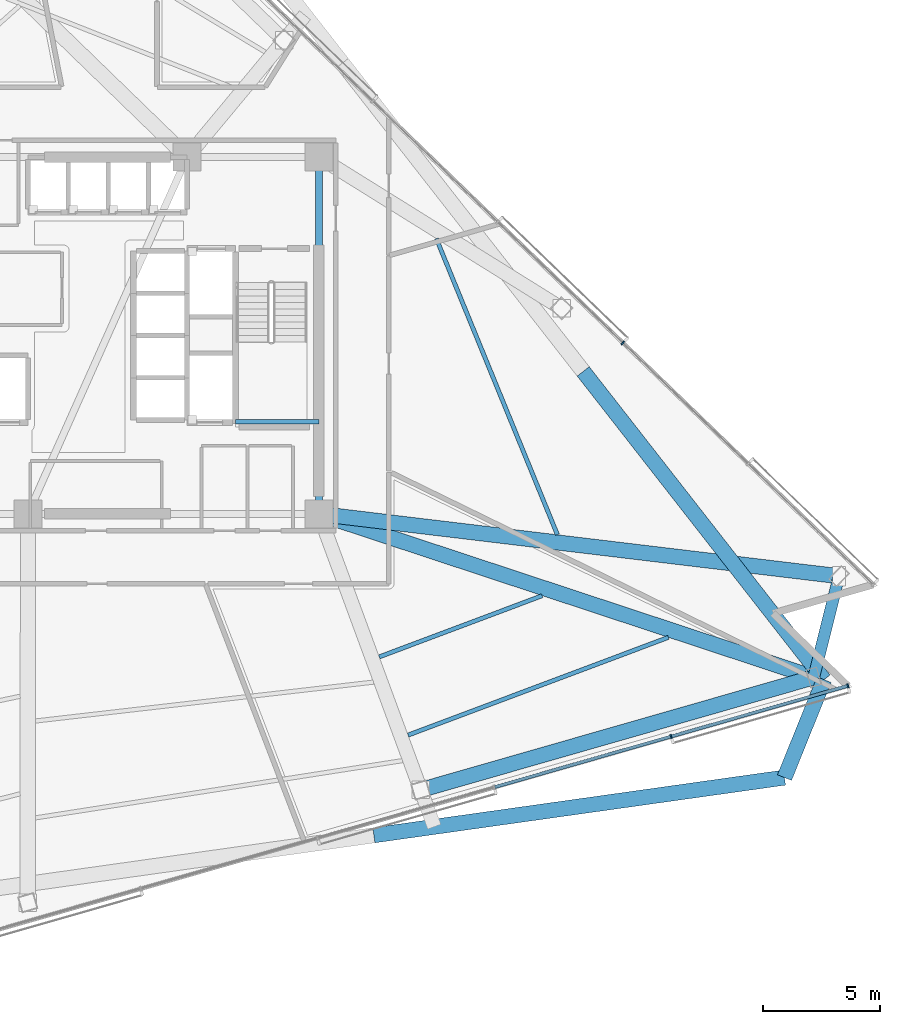
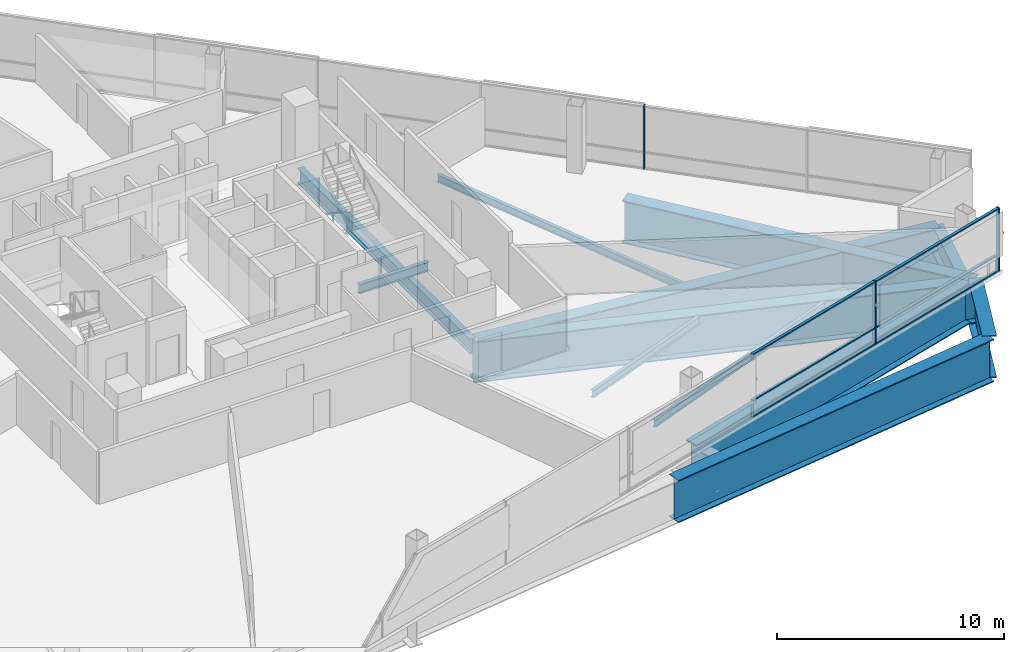
# One storey, part 6 of 21: 12 beams, 9 members, 2 elements without a shape of their own.
"""IFC4 building model written with IfcOpenShell, lengths in metres."""

from ifc_helpers import new_model, si_unit, direction, frame, origin, origin_2d, place, context, subcontext, project, spatial, rectangle, i_section, extrude, material, layer, layer_set, material_profile, profile_set, type_object, element, aggregate, save


model = new_model("IFC4")

# Units and contexts
model_context = context("Model", 3, precision=1e-05, world=origin(), true_north=direction((0.0, 1.0)))
body_context = subcontext(model_context, "Body", "Model", "MODEL_VIEW")
ifc_project = project(units=[si_unit("LENGTHUNIT", "METRE"), si_unit("AREAUNIT", "SQUARE_METRE"), si_unit("VOLUMEUNIT", "CUBIC_METRE"), si_unit("PLANEANGLEUNIT", "RADIAN"), si_unit("MASSUNIT", "GRAM", prefix="KILO")], contexts=[model_context])

# Site, building, storey
site_placement = place(None, origin())
site = spatial("IfcSite", under=ifc_project, at=site_placement, CompositionType="ELEMENT")
building_placement = place(site_placement, origin())
building = spatial("IfcBuilding", under=site, at=building_placement, Name="Tharavind Bronze Gate", CompositionType="ELEMENT")
storey_placement = place(building_placement, frame((0.0, 0.0, 86.10009765625)))
storey = spatial("IfcBuildingStorey", under=building, at=storey_placement, Name="L21", CompositionType="ELEMENT", Elevation=86.10009765625)

# Curtain wall, members
ifc_material_1 = material(Name="Anodised Bronze Aluminium", Category="aluminium")
ifc_layer = layer(ifc_material_1, 0.219970703125)
ifc_layer_set = layer_set([ifc_layer], Name="Anodised Bronze Aluminium")
curtain_wall_type = type_object("IfcCurtainWallType", Name="UNITISED CURTAIN WALL LOWER OFFICE", PredefinedType="USERDEFINED", material=ifc_layer_set)
curtain_wall_1_placement = place(storey_placement, origin())
curtain_wall_1 = element("IfcCurtainWall", 1, at=curtain_wall_1_placement, inside=storey, type_object=curtain_wall_type, Name="L21 unitised curtain wall lower office CW-L21-S2", ObjectType="UNITISED CURTAIN WALL", PredefinedType="USERDEFINED")
member_type_1 = type_object("IfcMemberType", Name="CURTAIN WALL BRONZE MULLION 65X180", PredefinedType="MULLION", material=ifc_material_1)
member_1_placement = place(storey_placement, frame((23.9052734375, -17.086669921875, 0.0), z_axis=(0.0, 0.0, 1.0), x_axis=(0.961261695938, 0.275637355817, 0.0)))
member_1 = element("IfcMember", 2, at=member_1_placement, type_object=member_type_1, Name="CW-L21-S2 mullion 7", PredefinedType="MULLION", context=body_context, shape_type="SweptSolid", body=[
    extrude(rectangle(XDim=0.06494140625, YDim=0.179931640625, at=origin_2d()), origin(), (0.0, 0.0, 1.0), 3.409912109375),
])
member_2_placement = place(storey_placement, frame((31.438720703125, -14.926513671875, 0.0), z_axis=(0.0, 0.0, 1.0), x_axis=(0.961261695938, 0.275637355817, 0.0)))
member_2 = element("IfcMember", 3, at=member_2_placement, type_object=member_type_1, Name="CW-L21-S2 mullion 8", PredefinedType="MULLION", context=body_context, shape_type="SweptSolid", body=[
    extrude(rectangle(XDim=0.06494140625, YDim=0.179931640625, at=origin_2d()), origin(), (0.0, 0.0, 1.0), 3.409912109375),
])

# Curtain wall, member
curtain_wall_2_placement = place(storey_placement, origin())
curtain_wall_2 = element("IfcCurtainWall", 4, at=curtain_wall_2_placement, inside=storey, type_object=curtain_wall_type, Name="L21 unitised curtain wall lower office CW-L21-S3", ObjectType="UNITISED CURTAIN WALL", PredefinedType="USERDEFINED")
member_3_placement = place(storey_placement, frame((21.84619140625, -0.317626953125, 0.0), z_axis=(0.0, 0.0, 1.0), x_axis=(-0.719341012745, 0.694657114973, 0.0)))
member_3 = element("IfcMember", 5, at=member_3_placement, type_object=member_type_1, Name="CW-L21-S3 mullion 3", PredefinedType="MULLION", context=body_context, shape_type="SweptSolid", body=[
    extrude(rectangle(XDim=0.06494140625, YDim=0.179931640625, at=origin_2d()), origin(), (0.0, 0.0, 1.0), 3.409912109375),
])
aggregate(curtain_wall_2, [member_3])

# Member
member_type_2 = type_object("IfcMemberType", Name="CURTAIN WALL BRONZE TRANSOM 65X140", PredefinedType="USERDEFINED", material=ifc_material_1)
member_4_placement = place(storey_placement, frame((20.138671875, -18.166748046875, 0.0), z_axis=(0.0, 0.0, 1.0), x_axis=(0.961261695938, 0.275637355817, 0.0)))
member_4 = element("IfcMember", 6, at=member_4_placement, type_object=member_type_2, Name="CW-L21-S2 transom TB6", ObjectType="TRANSOM", PredefinedType="USERDEFINED", context=body_context, shape_type="SweptSolid", body=[
    extrude(rectangle(XDim=7.7841796875, YDim=0.139892578125, at=origin_2d()), origin(), (0.0, 0.0, 1.0), 0.06494140625),
])

member_5_placement = place(storey_placement, frame((20.138671875, -18.166748046875, 0.867431640625), z_axis=(0.0, 0.0, 1.0), x_axis=(0.961261695938, 0.275637355817, 0.0)))
member_5 = element("IfcMember", 7, at=member_5_placement, type_object=member_type_2, Name="CW-L21-S2 transom TS6", ObjectType="TRANSOM", PredefinedType="USERDEFINED", context=body_context, shape_type="SweptSolid", body=[
    extrude(rectangle(XDim=7.7841796875, YDim=0.139892578125, at=origin_2d()), origin(), (0.0, 0.0, 1.0), 0.06494140625),
])

member_6_placement = place(storey_placement, frame((20.138671875, -18.166748046875, 3.344970703125), z_axis=(0.0, 0.0, 1.0), x_axis=(0.961261695938, 0.275637355817, 0.0)))
member_6 = element("IfcMember", 8, at=member_6_placement, type_object=member_type_2, Name="CW-L21-S2 transom TT6", ObjectType="TRANSOM", PredefinedType="USERDEFINED", context=body_context, shape_type="SweptSolid", body=[
    extrude(rectangle(XDim=7.7841796875, YDim=0.139892578125, at=origin_2d()), origin(), (0.0, 0.0, 1.0), 0.06494140625),
])

member_7_placement = place(storey_placement, frame((27.672119140625, -16.006591796875, 0.0), z_axis=(0.0, 0.0, 1.0), x_axis=(0.961261695938, 0.275637355817, 0.0)))
member_7 = element("IfcMember", 9, at=member_7_placement, type_object=member_type_2, Name="CW-L21-S2 transom TB7", ObjectType="TRANSOM", PredefinedType="USERDEFINED", context=body_context, shape_type="SweptSolid", body=[
    extrude(rectangle(XDim=7.7841796875, YDim=0.139892578125, at=origin_2d()), origin(), (0.0, 0.0, 1.0), 0.06494140625),
])

member_8_placement = place(storey_placement, frame((27.672119140625, -16.006591796875, 0.867431640625), z_axis=(0.0, 0.0, 1.0), x_axis=(0.961261695938, 0.275637355817, 0.0)))
member_8 = element("IfcMember", 10, at=member_8_placement, type_object=member_type_2, Name="CW-L21-S2 transom TS7", ObjectType="TRANSOM", PredefinedType="USERDEFINED", context=body_context, shape_type="SweptSolid", body=[
    extrude(rectangle(XDim=7.7841796875, YDim=0.139892578125, at=origin_2d()), origin(), (0.0, 0.0, 1.0), 0.06494140625),
])

member_9_placement = place(storey_placement, frame((27.672119140625, -16.006591796875, 3.344970703125), z_axis=(0.0, 0.0, 1.0), x_axis=(0.961261695938, 0.275637355817, 0.0)))
member_9 = element("IfcMember", 11, at=member_9_placement, type_object=member_type_2, Name="CW-L21-S2 transom TT7", ObjectType="TRANSOM", PredefinedType="USERDEFINED", context=body_context, shape_type="SweptSolid", body=[
    extrude(rectangle(XDim=7.7841796875, YDim=0.139892578125, at=origin_2d()), origin(), (0.0, 0.0, 1.0), 0.06494140625),
])

aggregate(curtain_wall_1, [member_1, member_2, member_4, member_5, member_6, member_7, member_8, member_9])

# Beams
ifc_material_2 = material(Name="Steel S355", Category="steel")
ifc_material_profile_1 = material_profile(ifc_material_2, i_section(OverallWidth=0.199951171875, OverallDepth=0.5, WebThickness=0.01025390625, FlangeThickness=0.01611328125, at=origin_2d()), Name="IPE500")
ifc_profile_set_1 = profile_set([ifc_material_profile_1], Name="Steel S355")
beam_type_1 = type_object("IfcBeamType", Name="PRIMARY GIRDER IPE500", PredefinedType="USERDEFINED", material=ifc_profile_set_1)
beam_1_placement = place(storey_placement, frame((5.35009765625, -3.679931640625, 1.349853515625), z_axis=(1.0, 0.0, 0.0), x_axis=(0.0, 1.0, 0.0)))
element("IfcBeam", 12, at=beam_1_placement, inside=storey, type_object=beam_type_1, Name="L21 primary girder ipe500 BM-LD-ST2-L21-1", ObjectType="GIRDER", PredefinedType="USERDEFINED", context=body_context, shape_type="SweptSolid", body=[
    extrude(i_section(OverallWidth=0.199951171875, OverallDepth=0.5, WebThickness=0.01025390625, FlangeThickness=0.01611328125, at=origin_2d()), origin(), (0.0, 0.0, 1.0), 3.5498046875),
])
ifc_material_profile_2 = material_profile(ifc_material_2, i_section(OverallWidth=0.300048828125, OverallDepth=0.800048828125, WebThickness=0.017578125, FlangeThickness=0.032958984375, at=origin_2d()), Name="HE800B")
ifc_profile_set_2 = profile_set([ifc_material_profile_2], Name="Steel S355")
beam_type_2 = type_object("IfcBeamType", Name="RING GIRDER HE800B", PredefinedType="USERDEFINED", material=ifc_profile_set_2)
beam_2_placement = place(storey_placement, frame((8.89990234375, -7.60009765625, -0.590087890625), z_axis=(0.0, 1.0, 0.0), x_axis=(-1.0, 0.0, 0.0)))
element("IfcBeam", 13, at=beam_2_placement, inside=storey, type_object=beam_type_2, Name="L21 ring girder he800b BM-L21-CR3", ObjectType="GIRDER", PredefinedType="USERDEFINED", context=body_context, shape_type="SweptSolid", body=[
    extrude(i_section(OverallWidth=0.300048828125, OverallDepth=0.800048828125, WebThickness=0.017578125, FlangeThickness=0.032958984375, at=origin_2d()), origin(), (0.0, 0.0, 1.0), 15.2001953125),
])
ifc_material_profile_3 = material_profile(ifc_material_2, i_section(OverallWidth=0.179931640625, OverallDepth=0.39990234375, WebThickness=0.008544921875, FlangeThickness=0.013427734375, at=origin_2d()), Name="IPE400")
ifc_profile_set_3 = profile_set([ifc_material_profile_3], Name="Steel S355")
beam_type_3 = type_object("IfcBeamType", Name="SECONDARY FLOOR JOIST IPE400", PredefinedType="JOIST", material=ifc_profile_set_3)
beam_3_placement = place(storey_placement, frame((11.470703125, -13.693603515625, -0.39013671875), z_axis=(0.936155863165, 0.351585266843, 0.0), x_axis=(-0.351585266843, 0.936155863165, 0.0)))
element("IfcBeam", 14, at=beam_3_placement, inside=storey, type_object=beam_type_3, Name="L21 secondary floor joist ipe400 BM-L21-JSTA07", PredefinedType="JOIST", context=body_context, shape_type="SweptSolid", body=[
    extrude(i_section(OverallWidth=0.179931640625, OverallDepth=0.39990234375, WebThickness=0.008544921875, FlangeThickness=0.013427734375, at=origin_2d()), origin(), (0.0, 0.0, 1.0), 7.414794921875),
])
beam_4_placement = place(storey_placement, frame((12.69970703125, -17.027099609375, -0.39013671875), z_axis=(0.936158817436, 0.351577400493, 0.0), x_axis=(-0.351577400493, 0.936158817436, 0.0)))
element("IfcBeam", 15, at=beam_4_placement, inside=storey, type_object=beam_type_3, Name="L21 secondary floor joist ipe400 BM-L21-JSTB07", PredefinedType="JOIST", context=body_context, shape_type="SweptSolid", body=[
    extrude(i_section(OverallWidth=0.179931640625, OverallDepth=0.39990234375, WebThickness=0.008544921875, FlangeThickness=0.013427734375, at=origin_2d()), origin(), (0.0, 0.0, 1.0), 11.84521484375),
])
beam_5_placement = place(storey_placement, frame((19.06103515625, -8.487060546875, -0.39013671875), z_axis=(-0.378551234102, 0.925580338577, 0.0), x_axis=(-0.925580338577, -0.378551234102, 0.0)))
element("IfcBeam", 16, at=beam_5_placement, inside=storey, type_object=beam_type_3, Name="L21 secondary floor joist ipe400 BM-L21-JSTA09", PredefinedType="JOIST", context=body_context, shape_type="SweptSolid", body=[
    extrude(i_section(OverallWidth=0.179931640625, OverallDepth=0.39990234375, WebThickness=0.008544921875, FlangeThickness=0.013427734375, at=origin_2d()), origin(), (0.0, 0.0, 1.0), 13.628662109375),
])
ifc_material_3 = material(Name="Steel S460", Category="steel")
ifc_material_profile_4 = material_profile(ifc_material_3, i_section(OverallWidth=0.5, OverallDepth=1.5, WebThickness=0.028076171875, FlangeThickness=0.050048828125, at=origin_2d()), Name="PG1500X500")
ifc_profile_set_4 = profile_set([ifc_material_profile_4], Name="Steel S460")
beam_type_4 = type_object("IfcBeamType", Name="TRANSFER GIRDER 1500X500", PredefinedType="USERDEFINED", material=ifc_profile_set_4)
beam_6_placement = place(storey_placement, frame((29.9833984375, -14.563720703125, -0.940185546875), z_axis=(0.241940431812, 0.970291104491, 0.0), x_axis=(-0.970291104491, 0.241940431812, 0.0)))
element("IfcBeam", 17, at=beam_6_placement, inside=storey, type_object=beam_type_4, Name="L21 transfer girder 1500x500 BM-L21-URG08", ObjectType="TRANSFER GIRDER", PredefinedType="USERDEFINED", context=body_context, shape_type="SweptSolid", body=[
    extrude(i_section(OverallWidth=0.5, OverallDepth=1.5, WebThickness=0.028076171875, FlangeThickness=0.050048828125, at=origin_2d()), origin(), (0.0, 0.0, 1.0), 4.43994140625),
])
ifc_material_profile_5 = material_profile(ifc_material_3, i_section(OverallWidth=0.64990234375, OverallDepth=2.199951171875, WebThickness=0.035888671875, FlangeThickness=0.054931640625, at=origin_2d()), Name="PG2200X650")
ifc_profile_set_5 = profile_set([ifc_material_profile_5], Name="Steel S460")
beam_type_5 = type_object("IfcBeamType", Name="TRANSFER GIRDER 2200X650", PredefinedType="USERDEFINED", material=ifc_profile_set_5)
beam_7_placement = place(storey_placement, frame((13.23779296875, -19.365234375, -1.2900390625), z_axis=(0.961264911639, 0.275626141088, 0.0), x_axis=(-0.275626141088, 0.961264911639, 0.0)))
element("IfcBeam", 18, at=beam_7_placement, inside=storey, type_object=beam_type_5, Name="L21 transfer girder 2200x650 BM-L21-URG07", ObjectType="TRANSFER GIRDER", PredefinedType="USERDEFINED", context=body_context, shape_type="SweptSolid", body=[
    extrude(i_section(OverallWidth=0.64990234375, OverallDepth=2.199951171875, WebThickness=0.035888671875, FlangeThickness=0.054931640625, at=origin_2d()), origin(), (0.0, 0.0, 1.0), 17.42041015625),
])
beam_8_placement = place(storey_placement, frame((8.89990234375, -7.60009765625, -1.2900390625), z_axis=(0.949547429772, -0.313623466299, 0.0), x_axis=(0.313623466299, 0.949547429772, 0.0)))
element("IfcBeam", 19, at=beam_8_placement, inside=storey, type_object=beam_type_5, Name="L21 transfer girder 2200x650 BM-L21-XFR08", ObjectType="TRANSFER GIRDER", PredefinedType="USERDEFINED", context=body_context, shape_type="SweptSolid", body=[
    extrude(i_section(OverallWidth=0.64990234375, OverallDepth=2.199951171875, WebThickness=0.035888671875, FlangeThickness=0.054931640625, at=origin_2d()), origin(), (0.0, 0.0, 1.0), 22.64990234375),
])
beam_9_placement = place(storey_placement, frame((8.89990234375, -7.60009765625, -1.2900390625), z_axis=(0.992894893645, -0.118994664472, 0.0), x_axis=(0.118994664472, 0.992894893645, 0.0)))
element("IfcBeam", 20, at=beam_9_placement, inside=storey, type_object=beam_type_5, Name="L21 transfer girder 2200x650 BM-L21-XFR09", ObjectType="TRANSFER GIRDER", PredefinedType="USERDEFINED", context=body_context, shape_type="SweptSolid", body=[
    extrude(i_section(OverallWidth=0.64990234375, OverallDepth=2.199951171875, WebThickness=0.035888671875, FlangeThickness=0.054931640625, at=origin_2d()), origin(), (0.0, 0.0, 1.0), 22.316162109375),
])
ifc_material_profile_6 = material_profile(ifc_material_3, i_section(OverallWidth=0.64990234375, OverallDepth=2.300048828125, WebThickness=0.035888671875, FlangeThickness=0.05810546875, at=origin_2d()), Name="PG2300X650")
ifc_profile_set_6 = profile_set([ifc_material_profile_6], Name="Steel S460")
beam_type_6 = type_object("IfcBeamType", Name="TRANSFER GIRDER 2300X650", PredefinedType="USERDEFINED", material=ifc_profile_set_6)
beam_10_placement = place(storey_placement, frame((11.23974609375, -21.29638671875, -1.340087890625), z_axis=(0.990266966294, 0.13918094506, 0.0), x_axis=(-0.13918094506, 0.990266966294, 0.0)))
element("IfcBeam", 21, at=beam_10_placement, inside=storey, type_object=beam_type_6, Name="L21 transfer girder 2300x650 BM-L21-LRG07", ObjectType="TRANSFER GIRDER", PredefinedType="USERDEFINED", context=body_context, shape_type="SweptSolid", body=[
    extrude(i_section(OverallWidth=0.64990234375, OverallDepth=2.300048828125, WebThickness=0.035888671875, FlangeThickness=0.05810546875, at=origin_2d()), origin(), (0.0, 0.0, 1.0), 17.669189453125),
])
beam_11_placement = place(storey_placement, frame((28.737060546875, -18.837158203125, -1.340087890625), z_axis=(0.374568898324, 0.927199083481, 0.0), x_axis=(-0.927199083481, 0.374568898324, 0.0)))
element("IfcBeam", 22, at=beam_11_placement, inside=storey, type_object=beam_type_6, Name="L21 transfer girder 2300x650 BM-L21-LRG08", ObjectType="TRANSFER GIRDER", PredefinedType="USERDEFINED", context=body_context, shape_type="SweptSolid", body=[
    extrude(i_section(OverallWidth=0.64990234375, OverallDepth=2.300048828125, WebThickness=0.035888671875, FlangeThickness=0.05810546875, at=origin_2d()), origin(), (0.0, 0.0, 1.0), 4.5),
])
beam_12_placement = place(storey_placement, frame((30.422607421875, -14.664794921875, -1.340087890625), z_axis=(-0.61565683186, 0.788014381458, 0.0), x_axis=(-0.788014381458, -0.61565683186, 0.0)))
element("IfcBeam", 23, at=beam_12_placement, inside=storey, type_object=beam_type_6, Name="L21 transfer girder 2300x650 BM-L21-LRG09", ObjectType="TRANSFER GIRDER", PredefinedType="USERDEFINED", context=body_context, shape_type="SweptSolid", body=[
    extrude(i_section(OverallWidth=0.64990234375, OverallDepth=2.300048828125, WebThickness=0.035888671875, FlangeThickness=0.05810546875, at=origin_2d()), origin(), (0.0, 0.0, 1.0), 16.669189453125),
])

save(model, "model.ifc")
